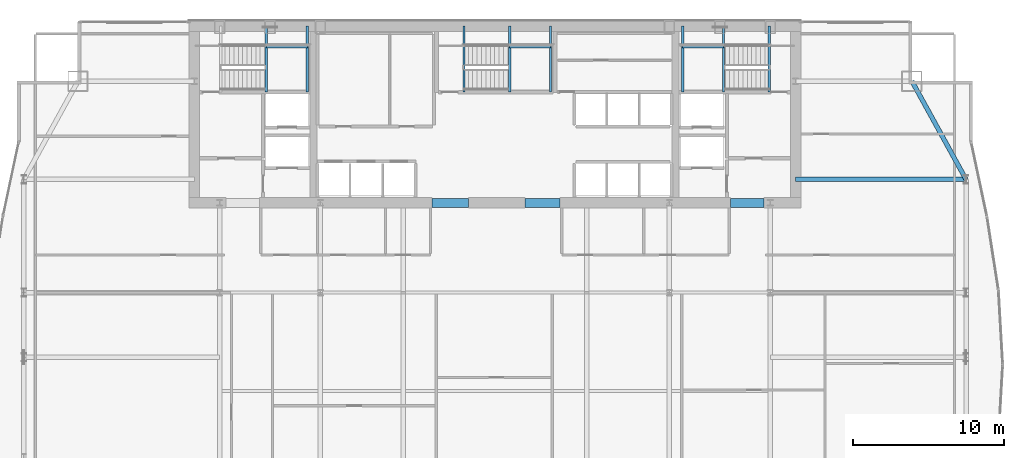
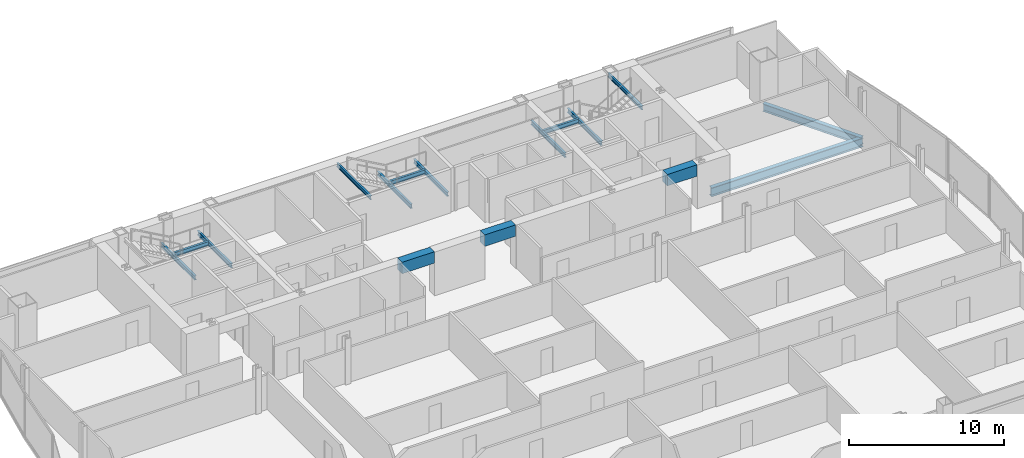
# One storey, part 19 of 29: 16 beams.
"""IFC4 building model written with IfcOpenShell, lengths in metres."""

from ifc_helpers import new_model, si_unit, direction, frame, origin, origin_2d, place, context, subcontext, project, spatial, rectangle, i_section, extrude, material, material_profile, profile_set, type_object, element, save


model = new_model("IFC4")

# Units and contexts
model_context = context("Model", 3, precision=1e-05, world=origin(), true_north=direction((0.0, 1.0)))
body_context = subcontext(model_context, "Body", "Model", "MODEL_VIEW")
ifc_project = project(units=[si_unit("LENGTHUNIT", "METRE"), si_unit("AREAUNIT", "SQUARE_METRE"), si_unit("VOLUMEUNIT", "CUBIC_METRE"), si_unit("PLANEANGLEUNIT", "RADIAN"), si_unit("MASSUNIT", "GRAM", prefix="KILO")], contexts=[model_context])

# Site, building, storey
site_placement = place(None, origin())
site = spatial("IfcSite", under=ifc_project, at=site_placement, CompositionType="ELEMENT")
building_placement = place(site_placement, origin())
building = spatial("IfcBuilding", under=site, at=building_placement, Name="Khoronbel Lancet Exchange", CompositionType="ELEMENT")
storey_placement = place(building_placement, frame((0.0, 0.0, 165.0)))
storey = spatial("IfcBuildingStorey", under=building, at=storey_placement, Name="L41", CompositionType="ELEMENT", Elevation=165.0)

# Beams
ifc_material_1 = material(Name="Steel S355", Category="steel")
ifc_material_profile_1 = material_profile(ifc_material_1, i_section(OverallWidth=0.300048828125, OverallDepth=0.699951171875, WebThickness=0.01708984375, FlangeThickness=0.031982421875, at=origin_2d()), Name="HEB 700")
ifc_profile_set_1 = profile_set([ifc_material_profile_1], Name="Steel S355")
beam_type_1 = type_object("IfcBeamType", Name="BM-BG3", PredefinedType="BEAM", material=ifc_profile_set_1)
beam_1_placement = place(storey_placement, frame((56.35009765625, 43.199951171875, -0.510009765625), z_axis=(1.0, 0.0, 0.0), x_axis=(0.0, 1.0, 0.0)))
element("IfcBeam", 1, at=beam_1_placement, inside=storey, type_object=beam_type_1, Name="Level L41 east lens tie girder LG3E", PredefinedType="BEAM", context=body_context, shape_type="SweptSolid", body=[
    extrude(i_section(OverallWidth=0.300048828125, OverallDepth=0.699951171875, WebThickness=0.01708984375, FlangeThickness=0.031982421875, at=origin_2d()), origin(), (0.0, 0.0, 1.0), 11.27978515625),
])
ifc_material_profile_2 = material_profile(ifc_material_1, i_section(OverallWidth=0.159912109375, OverallDepth=0.330078125, WebThickness=0.007568359375, FlangeThickness=0.011474609375, at=origin_2d()), Name="IPE 330")
ifc_profile_set_2 = profile_set([ifc_material_profile_2], Name="Steel S355")
beam_type_2 = type_object("IfcBeamType", Name="BM-BJ7", PredefinedType="JOIST", material=ifc_profile_set_2)
for number, where, z_axis, x_axis, name in (
    (2, (21.320068359375, 48.97998046875, 1.43505859375), (0.0, 1.0, 0.0), (-1.0, 0.0, 0.0), "Level L41 stair ST1 landing bearer beam 1"),
    (3, (24.030029296875, 48.97998046875, 1.43505859375), (0.0, 1.0, 0.0), (-1.0, 0.0, 0.0), "Level L41 stair ST1 rear landing bearer beam 1"),
):
    element("IfcBeam", number, at=place(storey_placement, frame(where, z_axis=z_axis, x_axis=x_axis)), inside=storey, type_object=beam_type_2, Name=name, PredefinedType="JOIST", context=body_context, shape_type="SweptSolid", body=[
        extrude(i_section(OverallWidth=0.159912109375, OverallDepth=0.330078125, WebThickness=0.007568359375, FlangeThickness=0.011474609375, at=origin_2d()), origin(), (0.0, 0.0, 1.0), 4.3701171875),
    ])
beam_2_placement = place(storey_placement, frame((21.320068359375, 51.97998046875, 1.43505859375), z_axis=(1.0, 0.0, 0.0), x_axis=(0.0, 1.0, 0.0)))
element("IfcBeam", 4, at=beam_2_placement, inside=storey, type_object=beam_type_2, Name="Level L41 stair ST1 landing cross trimmer beam 1", PredefinedType="JOIST", context=body_context, shape_type="SweptSolid", body=[
    extrude(i_section(OverallWidth=0.159912109375, OverallDepth=0.330078125, WebThickness=0.007568359375, FlangeThickness=0.011474609375, at=origin_2d()), origin(), (0.0, 0.0, 1.0), 2.7099609375),
])
for number, where, z_axis, x_axis, name in (
    (5, (51.580078125, 48.97998046875, 1.43505859375), (0.0, 1.0, 0.0), (-1.0, 0.0, 0.0), "Level L41 stair ST2 landing bearer beam 1"),
    (6, (48.8701171875, 48.97998046875, 1.43505859375), (0.0, 1.0, 0.0), (-1.0, 0.0, 0.0), "Level L41 stair ST2 rear landing bearer beam 1"),
):
    element("IfcBeam", number, at=place(storey_placement, frame(where, z_axis=z_axis, x_axis=x_axis)), inside=storey, type_object=beam_type_2, Name=name, PredefinedType="JOIST", context=body_context, shape_type="SweptSolid", body=[
        extrude(i_section(OverallWidth=0.159912109375, OverallDepth=0.330078125, WebThickness=0.007568359375, FlangeThickness=0.011474609375, at=origin_2d()), origin(), (0.0, 0.0, 1.0), 4.3701171875),
    ])
beam_3_placement = place(storey_placement, frame((48.8701171875, 51.97998046875, 1.43505859375), z_axis=(1.0, 0.0, 0.0), x_axis=(0.0, 1.0, 0.0)))
element("IfcBeam", 7, at=beam_3_placement, inside=storey, type_object=beam_type_2, Name="Level L41 stair ST2 landing cross trimmer beam 1", PredefinedType="JOIST", context=body_context, shape_type="SweptSolid", body=[
    extrude(i_section(OverallWidth=0.159912109375, OverallDepth=0.330078125, WebThickness=0.007568359375, FlangeThickness=0.011474609375, at=origin_2d()), origin(), (0.0, 0.0, 1.0), 2.7099609375),
])
for number, where, z_axis, x_axis, name in (
    (8, (37.419921875, 48.97998046875, 1.43505859375), (0.0, 1.0, 0.0), (-1.0, 0.0, 0.0), "Level L41 stair ST3 landing bearer beam 1"),
    (9, (40.1298828125, 48.97998046875, 1.43505859375), (0.0, 1.0, 0.0), (-1.0, 0.0, 0.0), "Level L41 stair ST3 rear landing bearer beam 1"),
):
    element("IfcBeam", number, at=place(storey_placement, frame(where, z_axis=z_axis, x_axis=x_axis)), inside=storey, type_object=beam_type_2, Name=name, PredefinedType="JOIST", context=body_context, shape_type="SweptSolid", body=[
        extrude(i_section(OverallWidth=0.159912109375, OverallDepth=0.330078125, WebThickness=0.007568359375, FlangeThickness=0.011474609375, at=origin_2d()), origin(), (0.0, 0.0, 1.0), 4.3701171875),
    ])
beam_4_placement = place(storey_placement, frame((37.419921875, 51.97998046875, 1.43505859375), z_axis=(1.0, 0.0, 0.0), x_axis=(0.0, 1.0, 0.0)))
element("IfcBeam", 10, at=beam_4_placement, inside=storey, type_object=beam_type_2, Name="Level L41 stair ST3 landing cross trimmer beam 1", PredefinedType="JOIST", context=body_context, shape_type="SweptSolid", body=[
    extrude(i_section(OverallWidth=0.159912109375, OverallDepth=0.330078125, WebThickness=0.007568359375, FlangeThickness=0.011474609375, at=origin_2d()), origin(), (0.0, 0.0, 1.0), 2.7099609375),
])
ifc_material_profile_3 = material_profile(ifc_material_1, i_section(OverallWidth=0.14990234375, OverallDepth=0.300048828125, WebThickness=0.007080078125, FlangeThickness=0.0107421875, at=origin_2d()), Name="IPE 300")
ifc_profile_set_3 = profile_set([ifc_material_profile_3], Name="Steel S355")
beam_type_3 = type_object("IfcBeamType", Name="BM-BJ8", PredefinedType="JOIST", material=ifc_profile_set_3)
for number, where, z_axis, x_axis, name in (
    (11, (54.60009765625, 48.97998046875, 3.159912109375), (0.0, 1.0, 0.0), (-1.0, 0.0, 0.0), "Level L41 stair ST2 upper-flight arrival trimmer beam"),
    (12, (34.39990234375, 48.97998046875, 3.159912109375), (0.0, 1.0, 0.0), (-1.0, 0.0, 0.0), "Level L41 stair ST3 upper-flight arrival trimmer beam"),
):
    element("IfcBeam", number, at=place(storey_placement, frame(where, z_axis=z_axis, x_axis=x_axis)), inside=storey, type_object=beam_type_3, Name=name, PredefinedType="JOIST", context=body_context, shape_type="SweptSolid", body=[
        extrude(i_section(OverallWidth=0.14990234375, OverallDepth=0.300048828125, WebThickness=0.007080078125, FlangeThickness=0.0107421875, at=origin_2d()), origin(), (0.0, 0.0, 1.0), 4.3701171875),
    ])
ifc_material_2 = material(Name="Concrete C80/95", Category="concrete")
ifc_material_profile_4 = material_profile(ifc_material_2, rectangle(XDim=0.60009765625, YDim=0.89990234375, at=origin_2d()), Name="RC 600x900")
ifc_profile_set_4 = profile_set([ifc_material_profile_4], Name="Concrete C80/95")
beam_type_4 = type_object("IfcBeamType", Name="BM-BL1", PredefinedType="LINTEL", material=ifc_profile_set_4)
beam_5_placement = place(storey_placement, frame((32.300048828125, 41.64990234375, 2.989990234375), z_axis=(1.0, 0.0, 0.0), x_axis=(0.0, 1.0, 0.0)))
element("IfcBeam", 13, at=beam_5_placement, inside=storey, type_object=beam_type_4, Name="Level L41 rear core coupling lintel L2", PredefinedType="LINTEL", context=body_context, shape_type="SweptSolid", body=[
    extrude(rectangle(XDim=0.60009765625, YDim=0.89990234375, at=origin_2d()), origin(), (0.0, 0.0, 1.0), 2.39990234375),
])
beam_6_placement = place(storey_placement, frame((38.449951171875, 41.64990234375, 2.989990234375), z_axis=(1.0, 0.0, 0.0), x_axis=(0.0, 1.0, 0.0)))
element("IfcBeam", 14, at=beam_6_placement, inside=storey, type_object=beam_type_4, Name="Level L41 rear core coupling lintel L3", PredefinedType="LINTEL", context=body_context, shape_type="SweptSolid", body=[
    extrude(rectangle(XDim=0.60009765625, YDim=0.89990234375, at=origin_2d()), origin(), (0.0, 0.0, 1.0), 2.300048828125),
])
beam_7_placement = place(storey_placement, frame((52.050048828125, 41.64990234375, 2.989990234375), z_axis=(1.0, 0.0, 0.0), x_axis=(0.0, 1.0, 0.0)))
element("IfcBeam", 15, at=beam_7_placement, inside=storey, type_object=beam_type_4, Name="Level L41 rear core coupling lintel L4", PredefinedType="LINTEL", context=body_context, shape_type="SweptSolid", body=[
    extrude(rectangle(XDim=0.60009765625, YDim=0.89990234375, at=origin_2d()), origin(), (0.0, 0.0, 1.0), 2.199951171875),
])
ifc_material_profile_5 = material_profile(ifc_material_1, i_section(OverallWidth=0.300048828125, OverallDepth=0.60009765625, WebThickness=0.015380859375, FlangeThickness=0.030029296875, at=origin_2d()), Name="HEB 600")
ifc_profile_set_5 = profile_set([ifc_material_profile_5], Name="Steel S355")
beam_type_5 = type_object("IfcBeamType", Name="BM-BSP2", PredefinedType="SPANDREL", material=ifc_profile_set_5)
beam_8_placement = place(storey_placement, frame((67.6298828125, 43.199951171875, -0.4599609375), z_axis=(-0.482418808117, 0.875940690672, 0.0), x_axis=(-0.875940690672, -0.482418808117, 0.0)))
element("IfcBeam", 16, at=beam_8_placement, inside=storey, type_object=beam_type_5, Name="Level L41 perimeter spandrel beam SP15", PredefinedType="SPANDREL", context=body_context, shape_type="SweptSolid", body=[
    extrude(i_section(OverallWidth=0.300048828125, OverallDepth=0.60009765625, WebThickness=0.015380859375, FlangeThickness=0.030029296875, at=origin_2d()), origin(), (0.0, 0.0, 1.0), 7.420654296875),
])

save(model, "model.ifc")
